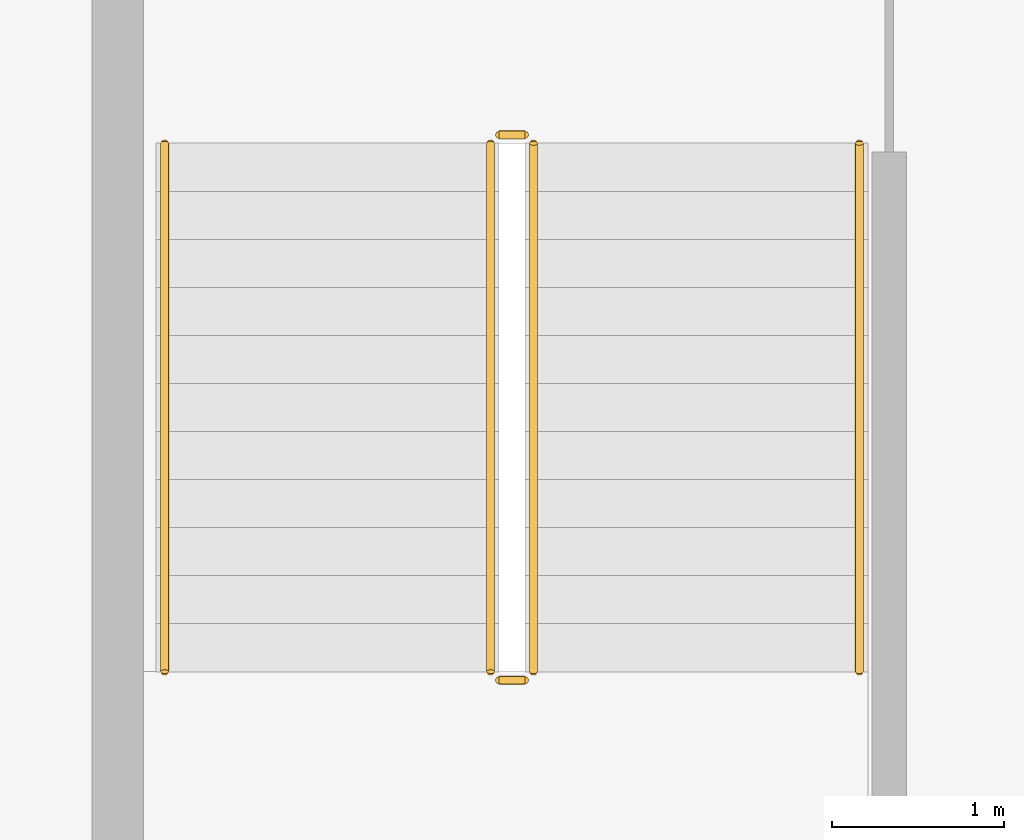
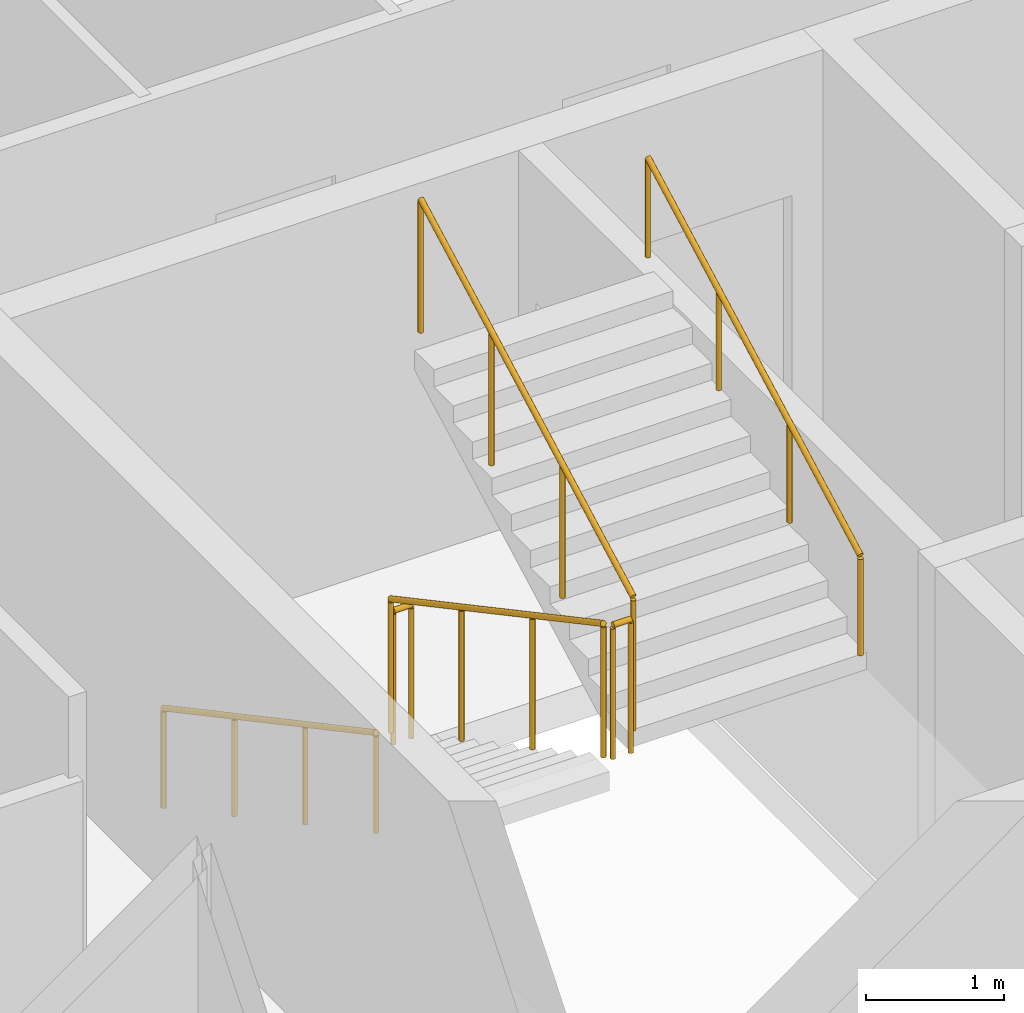
# One storey, part 13 of 15: 6 railings.
"""IFC4 building model written with IfcOpenShell, lengths in metres."""

from ifc_helpers import new_model, si_unit, direction, frame, origin, origin_2d, place, context, subcontext, project, spatial, circle, extrude, material, type_object, element, save


model = new_model("IFC4")

# Units and contexts
model_context = context("Model", 3, precision=1e-05, world=origin(), true_north=direction((0.0, 1.0)))
body_context = subcontext(model_context, "Body", "Model", "MODEL_VIEW")
ifc_project = project(units=[si_unit("LENGTHUNIT", "METRE"), si_unit("AREAUNIT", "SQUARE_METRE"), si_unit("VOLUMEUNIT", "CUBIC_METRE"), si_unit("PLANEANGLEUNIT", "RADIAN"), si_unit("MASSUNIT", "GRAM", prefix="KILO")], contexts=[model_context])

# Site, building, storey
site_placement = place(None, origin())
site = spatial("IfcSite", under=ifc_project, at=site_placement, CompositionType="ELEMENT")
building_placement = place(site_placement, origin())
building = spatial("IfcBuilding", under=site, at=building_placement, Name="Caravel Reach Hotel and Residences", CompositionType="ELEMENT")
storey_placement = place(building_placement, frame((0.0, 0.0, 104.39990234375)))
storey = spatial("IfcBuildingStorey", under=building, at=storey_placement, Name="L25", CompositionType="ELEMENT", Elevation=104.39990234375)

# Railings
ifc_material_1 = material(Name="Steel balustrade with glass infill", Category="steel")
railing_type_1 = type_object("IfcRailingType", Name="Guard 1200", PredefinedType="GUARDRAIL", material=ifc_material_1)
railing_1_placement = place(storey_placement, frame((20.175048828125, 29.35009765625, 0.150146484375)))
element("IfcRailing", 1, at=railing_1_placement, inside=storey, type_object=railing_type_1, Name="L25 ST-A stair guard 1", PredefinedType="GUARDRAIL", context=body_context, shape_type="SweptSolid", body=[
    extrude(circle(Radius=0.02392578125, at=origin_2d()), frame((0.0, 0.0, 1.17578125), z_axis=(0.0, -0.881496589024, 0.472190389079), x_axis=(1.0, 0.0, 0.0)), (0.0, 0.0, 1.0), 3.494140625),
    extrude(circle(Radius=0.02099609375, at=origin_2d()), origin(), (0.0, 0.0, 1.0), 1.15185546875),
    extrude(circle(Radius=0.02099609375, at=origin_2d()), frame((0.0, -1.026611328125, 0.550048828125)), (0.0, 0.0, 1.0), 1.15185546875),
    extrude(circle(Radius=0.02099609375, at=origin_2d()), frame((0.0, -2.053466796875, 1.099853515625)), (0.0, 0.0, 1.0), 1.15185546875),
    extrude(circle(Radius=0.02099609375, at=origin_2d()), frame((0.0, -3.080078125, 1.64990234375)), (0.0, 0.0, 1.0), 1.15185546875),
])
railing_2_placement = place(storey_placement, frame((20.22509765625, 26.219970703125, 1.800048828125)))
element("IfcRailing", 2, at=railing_2_placement, inside=storey, type_object=railing_type_1, Name="L25 ST-A stair guard 2", PredefinedType="GUARDRAIL", context=body_context, shape_type="SweptSolid", body=[
    extrude(circle(Radius=0.02392578125, at=origin_2d()), frame((0.0, 0.0, 1.17578125), z_axis=(1.0, 0.0, 0.0), x_axis=(0.0, 1.0, 0.0)), (0.0, 0.0, 1.0), 0.14990234375),
    extrude(circle(Radius=0.02099609375, at=origin_2d()), origin(), (0.0, 0.0, 1.0), 1.15185546875),
    extrude(circle(Radius=0.02099609375, at=origin_2d()), frame((0.14990234375, 0.0, 0.0)), (0.0, 0.0, 1.0), 1.15185546875),
])
railing_3_placement = place(storey_placement, frame((20.425048828125, 26.27001953125, 1.9501953125)))
element("IfcRailing", 3, at=railing_3_placement, inside=storey, type_object=railing_type_1, Name="L25 ST-A stair guard 3", PredefinedType="GUARDRAIL", context=body_context, shape_type="SweptSolid", body=[
    extrude(circle(Radius=0.02392578125, at=origin_2d()), frame((0.0, 0.0, 1.17578125), z_axis=(0.0, 0.881496589024, 0.472190389079), x_axis=(-1.0, 0.0, 0.0)), (0.0, 0.0, 1.0), 3.494140625),
    extrude(circle(Radius=0.02099609375, at=origin_2d()), origin(), (0.0, 0.0, 1.0), 1.15185546875),
    extrude(circle(Radius=0.02099609375, at=origin_2d()), frame((0.0, 1.026611328125, 0.550048828125)), (0.0, 0.0, 1.0), 1.15185546875),
    extrude(circle(Radius=0.02099609375, at=origin_2d()), frame((0.0, 2.053466796875, 1.099853515625)), (0.0, 0.0, 1.0), 1.15185546875),
    extrude(circle(Radius=0.02099609375, at=origin_2d()), frame((0.0, 3.080078125, 1.64990234375)), (0.0, 0.0, 1.0), 1.15185546875),
])
railing_4_placement = place(storey_placement, frame((20.22509765625, 29.39990234375, 0.0)))
element("IfcRailing", 4, at=railing_4_placement, inside=storey, type_object=railing_type_1, Name="L25 ST-A stair guard 4", PredefinedType="GUARDRAIL", context=body_context, shape_type="SweptSolid", body=[
    extrude(circle(Radius=0.02392578125, at=origin_2d()), frame((0.0, 0.0, 1.17578125), z_axis=(1.0, 0.0, 0.0), x_axis=(0.0, 1.0, 0.0)), (0.0, 0.0, 1.0), 0.14990234375),
    extrude(circle(Radius=0.02099609375, at=origin_2d()), origin(), (0.0, 0.0, 1.0), 1.15185546875),
    extrude(circle(Radius=0.02099609375, at=origin_2d()), frame((0.14990234375, 0.0, 0.0)), (0.0, 0.0, 1.0), 1.15185546875),
])
ifc_material_2 = material(Name="Stainless steel handrail", Category="steel")
railing_type_2 = type_object("IfcRailingType", Name="Handrail 900", PredefinedType="HANDRAIL", material=ifc_material_2)
railing_5_placement = place(storey_placement, frame((18.27490234375, 29.35009765625, 0.150146484375)))
element("IfcRailing", 5, at=railing_5_placement, inside=storey, type_object=railing_type_2, Name="L25 ST-A stair handrail 1", PredefinedType="HANDRAIL", context=body_context, shape_type="SweptSolid", body=[
    extrude(circle(Radius=0.02392578125, at=origin_2d()), frame((0.0, 0.0, 0.8759765625), z_axis=(0.0, -0.881496589024, 0.472190389079), x_axis=(1.0, 0.0, 0.0)), (0.0, 0.0, 1.0), 3.494140625),
    extrude(circle(Radius=0.02099609375, at=origin_2d()), origin(), (0.0, 0.0, 1.0), 0.851806640625),
    extrude(circle(Radius=0.02099609375, at=origin_2d()), frame((0.0, -1.026611328125, 0.550048828125)), (0.0, 0.0, 1.0), 0.851806640625),
    extrude(circle(Radius=0.02099609375, at=origin_2d()), frame((0.0, -2.053466796875, 1.099853515625)), (0.0, 0.0, 1.0), 0.851806640625),
    extrude(circle(Radius=0.02099609375, at=origin_2d()), frame((0.0, -3.080078125, 1.64990234375)), (0.0, 0.0, 1.0), 0.851806640625),
])
railing_6_placement = place(storey_placement, frame((22.324951171875, 26.27001953125, 1.9501953125)))
element("IfcRailing", 6, at=railing_6_placement, inside=storey, type_object=railing_type_2, Name="L25 ST-A stair handrail 2", PredefinedType="HANDRAIL", context=body_context, shape_type="SweptSolid", body=[
    extrude(circle(Radius=0.02392578125, at=origin_2d()), frame((0.0, 0.0, 0.8759765625), z_axis=(0.0, 0.881496589024, 0.472190389079), x_axis=(-1.0, 0.0, 0.0)), (0.0, 0.0, 1.0), 3.494140625),
    extrude(circle(Radius=0.02099609375, at=origin_2d()), origin(), (0.0, 0.0, 1.0), 0.851806640625),
    extrude(circle(Radius=0.02099609375, at=origin_2d()), frame((0.0, 1.026611328125, 0.550048828125)), (0.0, 0.0, 1.0), 0.851806640625),
    extrude(circle(Radius=0.02099609375, at=origin_2d()), frame((0.0, 2.053466796875, 1.099853515625)), (0.0, 0.0, 1.0), 0.851806640625),
    extrude(circle(Radius=0.02099609375, at=origin_2d()), frame((0.0, 3.080078125, 1.64990234375)), (0.0, 0.0, 1.0), 0.851806640625),
])

save(model, "model.ifc")
